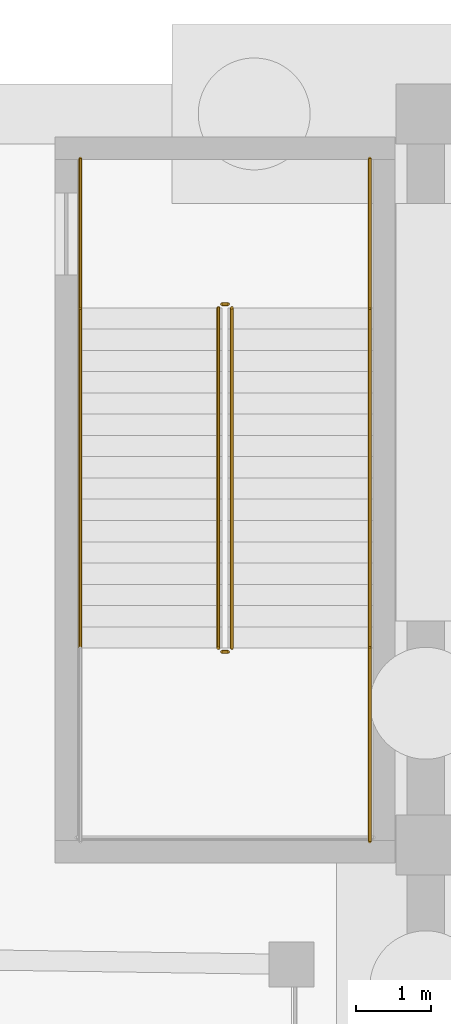
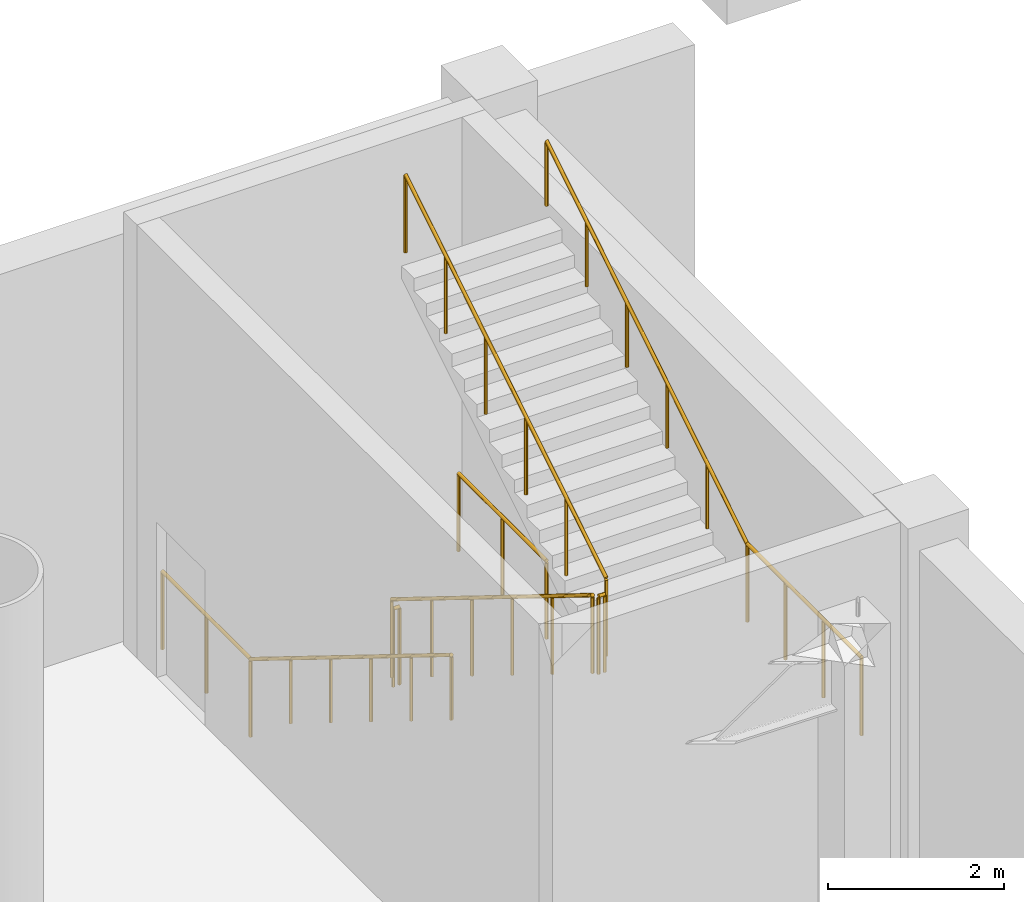
# One storey, part 11 of 12: 9 railings.
"""IFC4 building model written with IfcOpenShell, lengths in metres."""

from ifc_helpers import new_model, si_unit, direction, frame, origin, origin_2d, place, context, subcontext, project, spatial, circle, extrude, material, type_object, element, save


model = new_model("IFC4")

# Units and contexts
model_context = context("Model", 3, precision=1e-05, world=origin(), true_north=direction((0.0, 1.0)))
body_context = subcontext(model_context, "Body", "Model", "MODEL_VIEW")
ifc_project = project(units=[si_unit("LENGTHUNIT", "METRE"), si_unit("AREAUNIT", "SQUARE_METRE"), si_unit("VOLUMEUNIT", "CUBIC_METRE"), si_unit("PLANEANGLEUNIT", "RADIAN"), si_unit("MASSUNIT", "GRAM", prefix="KILO")], contexts=[model_context])

# Site, building, storey
site_placement = place(None, origin())
site = spatial("IfcSite", under=ifc_project, at=site_placement, CompositionType="ELEMENT")
building_placement = place(site_placement, origin())
building = spatial("IfcBuilding", under=site, at=building_placement, Name="Bramvorn Convention Spire", CompositionType="ELEMENT")
storey_placement = place(building_placement, frame((0.0, 0.0, -6.0)))
storey = spatial("IfcBuildingStorey", under=building, at=storey_placement, Name="B1", CompositionType="ELEMENT", Elevation=-6.0)

# Railings
ifc_material_1 = material(Name="Painted Steel Balustrade & Guardrail", Category="steel")
railing_type_1 = type_object("IfcRailingType", Name="RL-STAIR-GUARD-1100", PredefinedType="GUARDRAIL", material=ifc_material_1)
railing_1_placement = place(storey_placement, frame((70.419921875, 46.800048828125, 0.176513671875)))
element("IfcRailing", 1, at=railing_1_placement, inside=storey, type_object=railing_type_1, Name="B1 ST5 stair guard 1", PredefinedType="GUARDRAIL", context=body_context, shape_type="SweptSolid", body=[
    extrude(circle(Radius=0.02392578125, at=origin_2d()), frame((0.0, 0.0, 1.076171875), z_axis=(0.0, -0.850215668316, 0.526434532824), x_axis=(1.0, 0.0, 0.0)), (0.0, 0.0, 1.0), 5.363525390625),
    extrude(circle(Radius=0.02099609375, at=origin_2d()), origin(), (0.0, 0.0, 1.0), 1.052001953125),
    extrude(circle(Radius=0.02099609375, at=origin_2d()), frame((0.0, -0.912109375, 0.564697265625)), (0.0, 0.0, 1.0), 1.052001953125),
    extrude(circle(Radius=0.02099609375, at=origin_2d()), frame((0.0, -1.823974609375, 1.12939453125)), (0.0, 0.0, 1.0), 1.052001953125),
    extrude(circle(Radius=0.02099609375, at=origin_2d()), frame((0.0, -2.736083984375, 1.694091796875)), (0.0, 0.0, 1.0), 1.052001953125),
    extrude(circle(Radius=0.02099609375, at=origin_2d()), frame((0.0, -3.64794921875, 2.2587890625)), (0.0, 0.0, 1.0), 1.052001953125),
    extrude(circle(Radius=0.02099609375, at=origin_2d()), frame((0.0, -4.56005859375, 2.823486328125)), (0.0, 0.0, 1.0), 1.052001953125),
])
railing_2_placement = place(storey_placement, frame((70.469970703125, 42.18994140625, 3.0)))
element("IfcRailing", 2, at=railing_2_placement, inside=storey, type_object=railing_type_1, Name="B1 ST5 stair guard 2", PredefinedType="GUARDRAIL", context=body_context, shape_type="SweptSolid", body=[
    extrude(circle(Radius=0.02392578125, at=origin_2d()), frame((0.0, 0.0, 1.076171875), z_axis=(1.0, 0.0, 0.0), x_axis=(0.0, 1.0, 0.0)), (0.0, 0.0, 1.0), 0.080078125),
    extrude(circle(Radius=0.02099609375, at=origin_2d()), origin(), (0.0, 0.0, 1.0), 1.052001953125),
    extrude(circle(Radius=0.02099609375, at=origin_2d()), frame((0.080078125, 0.0, 0.0)), (0.0, 0.0, 1.0), 1.052001953125),
])
railing_3_placement = place(storey_placement, frame((72.449951171875, 42.239990234375, 3.0)))
element("IfcRailing", 3, at=railing_3_placement, inside=storey, type_object=railing_type_1, Name="B1 ST5 stair guard 4", PredefinedType="GUARDRAIL", context=body_context, shape_type="SweptSolid", body=[
    extrude(circle(Radius=0.02392578125, at=origin_2d()), frame((0.0, 0.0, 1.076171875), z_axis=(0.0, -1.0, 0.0), x_axis=(1.0, 0.0, 0.0)), (0.0, 0.0, 1.0), 2.590087890625),
    extrude(circle(Radius=0.02099609375, at=origin_2d()), origin(), (0.0, 0.0, 1.0), 1.052001953125),
    extrude(circle(Radius=0.02099609375, at=origin_2d()), frame((0.0, -0.86328125, 0.0)), (0.0, 0.0, 1.0), 1.052001953125),
    extrude(circle(Radius=0.02099609375, at=origin_2d()), frame((0.0, -1.726806640625, 0.0)), (0.0, 0.0, 1.0), 1.052001953125),
    extrude(circle(Radius=0.02099609375, at=origin_2d()), frame((0.0, -2.590087890625, 0.0)), (0.0, 0.0, 1.0), 1.052001953125),
])
railing_4_placement = place(storey_placement, frame((70.60009765625, 42.239990234375, 3.176513671875)))
element("IfcRailing", 4, at=railing_4_placement, inside=storey, type_object=railing_type_1, Name="B1 ST5 stair guard 6", PredefinedType="GUARDRAIL", context=body_context, shape_type="SweptSolid", body=[
    extrude(circle(Radius=0.02392578125, at=origin_2d()), frame((0.0, 0.0, 1.076171875), z_axis=(0.0, 0.850215668316, 0.526434532824), x_axis=(-1.0, 0.0, 0.0)), (0.0, 0.0, 1.0), 5.363525390625),
    extrude(circle(Radius=0.02099609375, at=origin_2d()), origin(), (0.0, 0.0, 1.0), 1.052001953125),
    extrude(circle(Radius=0.02099609375, at=origin_2d()), frame((0.0, 0.912109375, 0.564697265625)), (0.0, 0.0, 1.0), 1.052001953125),
    extrude(circle(Radius=0.02099609375, at=origin_2d()), frame((0.0, 1.823974609375, 1.12939453125)), (0.0, 0.0, 1.0), 1.052001953125),
    extrude(circle(Radius=0.02099609375, at=origin_2d()), frame((0.0, 2.736083984375, 1.694091796875)), (0.0, 0.0, 1.0), 1.052001953125),
    extrude(circle(Radius=0.02099609375, at=origin_2d()), frame((0.0, 3.64794921875, 2.2587890625)), (0.0, 0.0, 1.0), 1.052001953125),
    extrude(circle(Radius=0.02099609375, at=origin_2d()), frame((0.0, 4.56005859375, 2.823486328125)), (0.0, 0.0, 1.0), 1.052001953125),
])
railing_5_placement = place(storey_placement, frame((70.469970703125, 46.85009765625, 0.0)))
element("IfcRailing", 5, at=railing_5_placement, inside=storey, type_object=railing_type_1, Name="B1 ST5 stair guard 7", PredefinedType="GUARDRAIL", context=body_context, shape_type="SweptSolid", body=[
    extrude(circle(Radius=0.02392578125, at=origin_2d()), frame((0.0, 0.0, 1.076171875), z_axis=(1.0, 0.0, 0.0), x_axis=(0.0, 1.0, 0.0)), (0.0, 0.0, 1.0), 0.080078125),
    extrude(circle(Radius=0.02099609375, at=origin_2d()), origin(), (0.0, 0.0, 1.0), 1.052001953125),
    extrude(circle(Radius=0.02099609375, at=origin_2d()), frame((0.080078125, 0.0, 0.0)), (0.0, 0.0, 1.0), 1.052001953125),
])
for number, where, name in (
    (6, (68.570068359375, 48.800048828125, 0.0), "B1 ST5 stair guard 8"),
    (7, (72.449951171875, 48.800048828125, 0.0), "B1 ST5 stair guard 9"),
):
    element("IfcRailing", number, at=place(storey_placement, frame(where)), inside=storey, type_object=railing_type_1, Name=name, PredefinedType="GUARDRAIL", context=body_context, shape_type="SweptSolid", body=[
        extrude(circle(Radius=0.02392578125, at=origin_2d()), frame((0.0, 0.0, 1.076171875), z_axis=(0.0, -1.0, 0.0), x_axis=(1.0, 0.0, 0.0)), (0.0, 0.0, 1.0), 2.0),
        extrude(circle(Radius=0.02099609375, at=origin_2d()), origin(), (0.0, 0.0, 1.0), 1.052001953125),
        extrude(circle(Radius=0.02099609375, at=origin_2d()), frame((0.0, -1.0, 0.0)), (0.0, 0.0, 1.0), 1.052001953125),
        extrude(circle(Radius=0.02099609375, at=origin_2d()), frame((0.0, -2.0, 0.0)), (0.0, 0.0, 1.0), 1.052001953125),
    ])
ifc_material_2 = material(Name="Brushed Bronze Tubular Handrail", Category="aluminium")
railing_type_2 = type_object("IfcRailingType", Name="RL-STAIR-HR-920", PredefinedType="HANDRAIL", material=ifc_material_2)
railing_6_placement = place(storey_placement, frame((68.570068359375, 46.800048828125, 0.176513671875)))
element("IfcRailing", 8, at=railing_6_placement, inside=storey, type_object=railing_type_2, Name="B1 ST5 stair handrail 1", PredefinedType="HANDRAIL", context=body_context, shape_type="SweptSolid", body=[
    extrude(circle(Radius=0.02392578125, at=origin_2d()), frame((0.0, 0.0, 0.89599609375), z_axis=(0.0, -0.850215668316, 0.526434532824), x_axis=(1.0, 0.0, 0.0)), (0.0, 0.0, 1.0), 5.363525390625),
    extrude(circle(Radius=0.02099609375, at=origin_2d()), origin(), (0.0, 0.0, 1.0), 0.871826171875),
    extrude(circle(Radius=0.02099609375, at=origin_2d()), frame((0.0, -0.912109375, 0.564697265625)), (0.0, 0.0, 1.0), 0.871826171875),
    extrude(circle(Radius=0.02099609375, at=origin_2d()), frame((0.0, -1.823974609375, 1.12939453125)), (0.0, 0.0, 1.0), 0.871826171875),
    extrude(circle(Radius=0.02099609375, at=origin_2d()), frame((0.0, -2.736083984375, 1.694091796875)), (0.0, 0.0, 1.0), 0.871826171875),
    extrude(circle(Radius=0.02099609375, at=origin_2d()), frame((0.0, -3.64794921875, 2.2587890625)), (0.0, 0.0, 1.0), 0.871826171875),
    extrude(circle(Radius=0.02099609375, at=origin_2d()), frame((0.0, -4.56005859375, 2.823486328125)), (0.0, 0.0, 1.0), 0.871826171875),
])
railing_7_placement = place(storey_placement, frame((72.449951171875, 42.239990234375, 3.176513671875)))
element("IfcRailing", 9, at=railing_7_placement, inside=storey, type_object=railing_type_2, Name="B1 ST5 stair handrail 2", PredefinedType="HANDRAIL", context=body_context, shape_type="SweptSolid", body=[
    extrude(circle(Radius=0.02392578125, at=origin_2d()), frame((0.0, 0.0, 0.89599609375), z_axis=(0.0, 0.850215668316, 0.526434532824), x_axis=(-1.0, 0.0, 0.0)), (0.0, 0.0, 1.0), 5.363525390625),
    extrude(circle(Radius=0.02099609375, at=origin_2d()), origin(), (0.0, 0.0, 1.0), 0.871826171875),
    extrude(circle(Radius=0.02099609375, at=origin_2d()), frame((0.0, 0.912109375, 0.564697265625)), (0.0, 0.0, 1.0), 0.871826171875),
    extrude(circle(Radius=0.02099609375, at=origin_2d()), frame((0.0, 1.823974609375, 1.12939453125)), (0.0, 0.0, 1.0), 0.871826171875),
    extrude(circle(Radius=0.02099609375, at=origin_2d()), frame((0.0, 2.736083984375, 1.694091796875)), (0.0, 0.0, 1.0), 0.871826171875),
    extrude(circle(Radius=0.02099609375, at=origin_2d()), frame((0.0, 3.64794921875, 2.2587890625)), (0.0, 0.0, 1.0), 0.871826171875),
    extrude(circle(Radius=0.02099609375, at=origin_2d()), frame((0.0, 4.56005859375, 2.823486328125)), (0.0, 0.0, 1.0), 0.871826171875),
])

save(model, "model.ifc")
